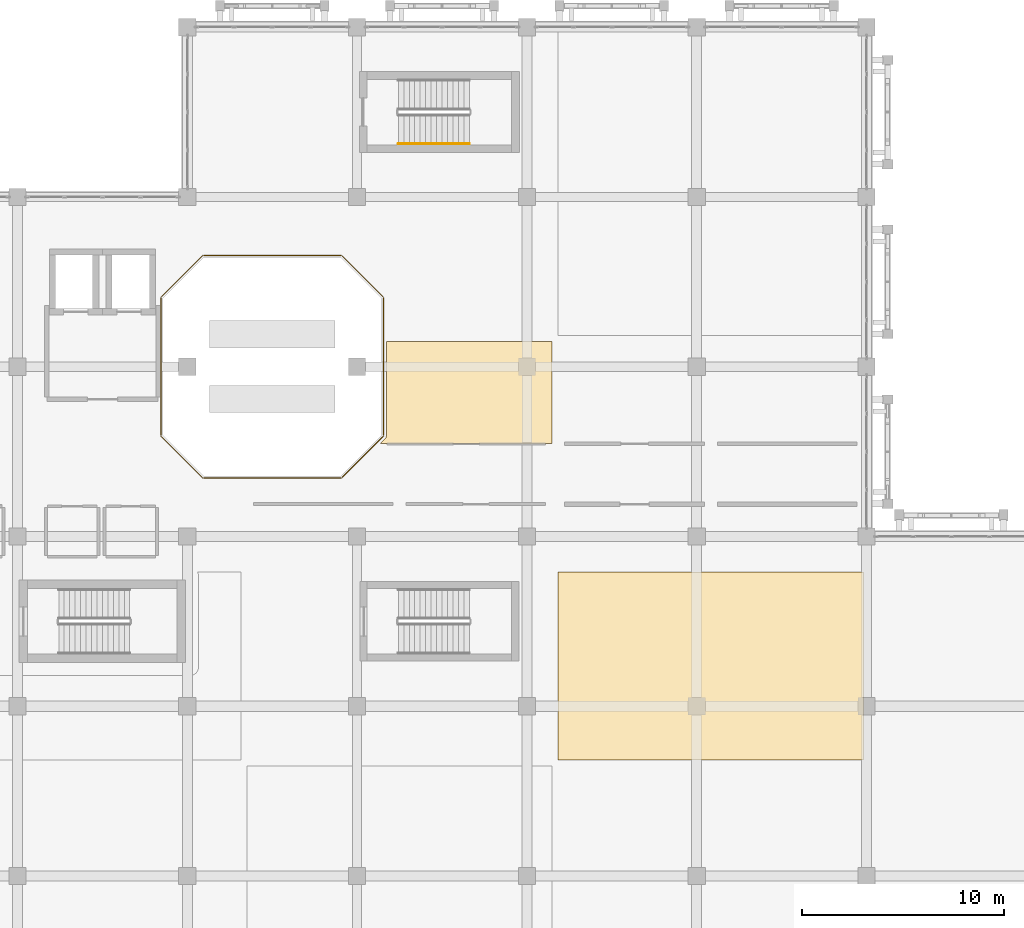
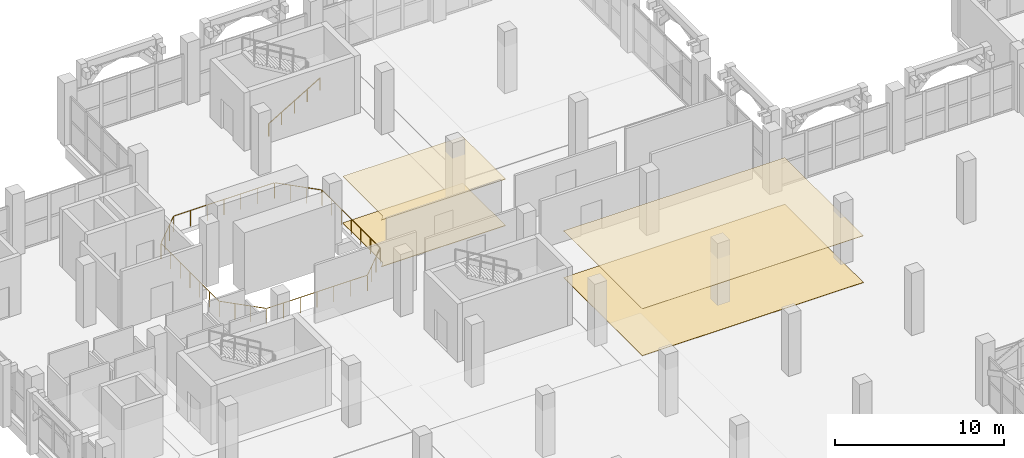
# One storey, part 130 of 137: 4 coverings, 2 railings.
"""IFC4 building model written with IfcOpenShell, lengths in metres."""

from ifc_helpers import new_model, si_unit, direction, frame, origin, origin_2d, place, context, subcontext, project, spatial, polyline, circle, outline, extrude, material, layer, layer_set, type_object, element, save


model = new_model("IFC4")

# Units and contexts
model_context = context("Model", 3, precision=1e-05, world=origin(), true_north=direction((0.0, 1.0)))
body_context = subcontext(model_context, "Body", "Model", "MODEL_VIEW")
ifc_project = project(units=[si_unit("LENGTHUNIT", "METRE"), si_unit("AREAUNIT", "SQUARE_METRE"), si_unit("VOLUMEUNIT", "CUBIC_METRE"), si_unit("PLANEANGLEUNIT", "RADIAN"), si_unit("MASSUNIT", "GRAM", prefix="KILO")], contexts=[model_context])

# Site, building, storey
site_placement = place(None, origin())
site = spatial("IfcSite", under=ifc_project, at=site_placement, CompositionType="ELEMENT")
building_placement = place(site_placement, origin())
building = spatial("IfcBuilding", under=site, at=building_placement, Name="Xazarin Passage Department Store", CompositionType="ELEMENT")
storey_placement = place(building_placement, frame((0.0, 0.0, 5.39990234375)))
storey = spatial("IfcBuildingStorey", under=building, at=storey_placement, Name="L01", CompositionType="ELEMENT", Elevation=5.39990234375)

# Coverings
ifc_material_1 = material(Name="Acoustic mineral ceiling")
ifc_layer_1 = layer(ifc_material_1, 0.030029296875)
ifc_layer_set_1 = layer_set([ifc_layer_1], Name="Acoustic mineral ceiling")
covering_type_1 = type_object("IfcCoveringType", Name="ARC-COV-CLG030", PredefinedType="CEILING", material=ifc_layer_set_1)
covering_1_placement = place(storey_placement, frame((0.0, 0.0, 3.3701171875)))
element("IfcCovering", 1, at=covering_1_placement, inside=storey, type_object=covering_type_1, Name="L01 Fashion Gallery Acoustic Ceiling", PredefinedType="CEILING", context=body_context, shape_type="SweptSolid", body=[
    extrude(outline(polyline([(35.14990234375, 73.75), (50.25, 73.75), (50.25, 83.050048828125), (35.14990234375, 83.050048828125), (35.14990234375, 73.75)])), origin(), (0.0, 0.0, 1.0), 0.030029296875),
])
ifc_layer_2 = layer(ifc_material_1, 0.0400390625)
ifc_layer_set_2 = layer_set([ifc_layer_2], Name="Acoustic mineral ceiling")
covering_type_2 = type_object("IfcCoveringType", Name="ARC-COV-CLG040", PredefinedType="CEILING", material=ifc_layer_set_2)
covering_2_placement = place(storey_placement, frame((0.0, 0.0, 3.360107421875)))
element("IfcCovering", 2, at=covering_2_placement, inside=storey, type_object=covering_type_2, Name="L01 Luxury Leather Showroom Acoustic Ceiling", PredefinedType="CEILING", context=body_context, shape_type="SweptSolid", body=[
    extrude(outline(polyline([(26.353515625, 89.39990234375), (34.85009765625, 89.39990234375), (34.85009765625, 94.449951171875), (26.64990234375, 94.449951171875), (26.64990234375, 89.800048828125), (26.648681640625, 89.775390625), (26.645263671875, 89.751220703125), (26.63916015625, 89.727294921875), (26.631103515625, 89.704345703125), (26.62060546875, 89.68212890625), (26.60791015625, 89.6611328125), (26.59326171875, 89.641357421875), (26.576904296875, 89.623291015625), (26.353515625, 89.39990234375)])), origin(), (0.0, 0.0, 1.0), 0.0400390625),
])
ifc_material_2 = material(Name="Terrazzo stone flooring", Category="masonry")
ifc_layer_3 = layer(ifc_material_2, 0.02490234375)
ifc_layer_set_3 = layer_set([ifc_layer_3], Name="Terrazzo stone flooring")
covering_type_3 = type_object("IfcCoveringType", Name="ARC-COV-FLR025", PredefinedType="FLOORING", material=ifc_layer_set_3)
covering_3_placement = place(storey_placement, origin())
element("IfcCovering", 3, at=covering_3_placement, inside=storey, type_object=covering_type_3, Name="L01 Fashion Gallery Terrazzo Flooring", PredefinedType="FLOORING", context=body_context, shape_type="SweptSolid", body=[
    extrude(outline(polyline([(35.14990234375, 73.75), (50.25, 73.75), (50.25, 83.050048828125), (35.14990234375, 83.050048828125), (35.14990234375, 73.75)])), origin(), (0.0, 0.0, 1.0), 0.025146484375),
])
ifc_layer_4 = layer(ifc_material_2, 0.034912109375)
ifc_layer_set_4 = layer_set([ifc_layer_4], Name="Terrazzo stone flooring")
covering_type_4 = type_object("IfcCoveringType", Name="ARC-COV-FLR035", PredefinedType="FLOORING", material=ifc_layer_set_4)
covering_4_placement = place(storey_placement, origin())
element("IfcCovering", 4, at=covering_4_placement, inside=storey, type_object=covering_type_4, Name="L01 Luxury Leather Showroom Terrazzo Flooring", PredefinedType="FLOORING", context=body_context, shape_type="SweptSolid", body=[
    extrude(outline(polyline([(26.353515625, 89.39990234375), (34.85009765625, 89.39990234375), (34.85009765625, 94.449951171875), (26.64990234375, 94.449951171875), (26.64990234375, 89.800048828125), (26.648681640625, 89.775390625), (26.645263671875, 89.751220703125), (26.63916015625, 89.727294921875), (26.631103515625, 89.704345703125), (26.62060546875, 89.68212890625), (26.60791015625, 89.6611328125), (26.59326171875, 89.641357421875), (26.576904296875, 89.623291015625), (26.353515625, 89.39990234375)])), origin(), (0.0, 0.0, 1.0), 0.03515625),
])

# Railings
ifc_material_3 = material(Name="Low-E laminated safety glass", Category="glass")
railing_type_1 = type_object("IfcRailingType", Name="ARC-RL-BAL115", PredefinedType="BALUSTRADE", material=ifc_material_3)
railing_1_placement = place(storey_placement, frame((15.5, 96.641357421875, 0.0)))
element("IfcRailing", 5, at=railing_1_placement, inside=storey, type_object=railing_type_1, Name="L01 Void Edge Balustrade 0001", PredefinedType="BALUSTRADE", context=body_context, shape_type="SweptSolid", body=[
    extrude(circle(Radius=0.02392578125, at=origin_2d()), frame((0.0, -0.03125, 1.1259765625), z_axis=(0.0, -1.0, 0.0), x_axis=(1.0, 0.0, 0.0)), (0.0, 0.0, 1.0), 6.8203125),
    extrude(circle(Radius=0.02392578125, at=origin_2d()), frame((0.022216796875, -6.905029296875, 1.1259765625), z_axis=(0.707106781187, -0.707106781187, 0.0), x_axis=(0.707106781187, 0.707106781187, 0.0)), (0.0, 0.0, 1.0), 2.848876953125),
    extrude(circle(Radius=0.02392578125, at=origin_2d()), frame((2.08984375, -8.94140625, 1.1259765625), z_axis=(1.0, 0.0, 0.0), x_axis=(0.0, 1.0, 0.0)), (0.0, 0.0, 1.0), 6.8203125),
    extrude(circle(Radius=0.02392578125, at=origin_2d()), frame((8.963623046875, -8.919189453125, 1.1259765625), z_axis=(0.707106781187, 0.707106781187, 0.0), x_axis=(-0.707106781187, 0.707106781187, 0.0)), (0.0, 0.0, 1.0), 2.848876953125),
    extrude(circle(Radius=0.02392578125, at=origin_2d()), frame((11.0, -6.8515625, 1.1259765625), z_axis=(0.0, 1.0, 0.0), x_axis=(-1.0, 0.0, 0.0)), (0.0, 0.0, 1.0), 6.8203125),
    extrude(circle(Radius=0.02392578125, at=origin_2d()), frame((10.977783203125, 0.022216796875, 1.1259765625), z_axis=(-0.707106781187, 0.707106781187, 0.0), x_axis=(-0.707106781187, -0.707106781187, 0.0)), (0.0, 0.0, 1.0), 2.848876953125),
    extrude(circle(Radius=0.02392578125, at=origin_2d()), frame((8.91015625, 2.05859375, 1.1259765625), z_axis=(-1.0, 0.0, 0.0), x_axis=(0.0, -1.0, 0.0)), (0.0, 0.0, 1.0), 6.8203125),
    extrude(circle(Radius=0.02392578125, at=origin_2d()), frame((2.036376953125, 2.036376953125, 1.1259765625), z_axis=(-0.707106781187, -0.707106781187, 0.0), x_axis=(0.707106781187, -0.707106781187, 0.0)), (0.0, 0.0, 1.0), 2.848876953125),
    extrude(circle(Radius=0.02099609375, at=origin_2d()), origin(), (0.0, 0.0, 1.0), 1.1015625),
    extrude(circle(Radius=0.02099609375, at=origin_2d()), frame((0.0, -1.147216796875, 0.0)), (0.0, 0.0, 1.0), 1.1015625),
    extrude(circle(Radius=0.02099609375, at=origin_2d()), frame((0.0, -2.294189453125, 0.0)), (0.0, 0.0, 1.0), 1.1015625),
    extrude(circle(Radius=0.02099609375, at=origin_2d()), frame((0.0, -3.44140625, 0.0)), (0.0, 0.0, 1.0), 1.1015625),
    extrude(circle(Radius=0.02099609375, at=origin_2d()), frame((0.0, -4.588623046875, 0.0)), (0.0, 0.0, 1.0), 1.1015625),
    extrude(circle(Radius=0.02099609375, at=origin_2d()), frame((0.0, -5.735595703125, 0.0)), (0.0, 0.0, 1.0), 1.1015625),
    extrude(circle(Radius=0.02099609375, at=origin_2d()), frame((0.0, -6.8828125, 0.0)), (0.0, 0.0, 1.0), 1.1015625),
    extrude(circle(Radius=0.02099609375, at=origin_2d()), frame((0.686279296875, -7.569091796875, 0.0)), (0.0, 0.0, 1.0), 1.1015625),
    extrude(circle(Radius=0.02099609375, at=origin_2d()), frame((1.372314453125, -8.255126953125, 0.0)), (0.0, 0.0, 1.0), 1.1015625),
    extrude(circle(Radius=0.02099609375, at=origin_2d()), frame((2.05859375, -8.94140625, 0.0)), (0.0, 0.0, 1.0), 1.1015625),
    extrude(circle(Radius=0.02099609375, at=origin_2d()), frame((3.205810546875, -8.94140625, 0.0)), (0.0, 0.0, 1.0), 1.1015625),
    extrude(circle(Radius=0.02099609375, at=origin_2d()), frame((4.352783203125, -8.94140625, 0.0)), (0.0, 0.0, 1.0), 1.1015625),
    extrude(circle(Radius=0.02099609375, at=origin_2d()), frame((5.5, -8.94140625, 0.0)), (0.0, 0.0, 1.0), 1.1015625),
    extrude(circle(Radius=0.02099609375, at=origin_2d()), frame((6.647216796875, -8.94140625, 0.0)), (0.0, 0.0, 1.0), 1.1015625),
    extrude(circle(Radius=0.02099609375, at=origin_2d()), frame((7.794189453125, -8.94140625, 0.0)), (0.0, 0.0, 1.0), 1.1015625),
    extrude(circle(Radius=0.02099609375, at=origin_2d()), frame((8.94140625, -8.94140625, 0.0)), (0.0, 0.0, 1.0), 1.1015625),
    extrude(circle(Radius=0.02099609375, at=origin_2d()), frame((9.627685546875, -8.255126953125, 0.0)), (0.0, 0.0, 1.0), 1.1015625),
    extrude(circle(Radius=0.02099609375, at=origin_2d()), frame((10.313720703125, -7.569091796875, 0.0)), (0.0, 0.0, 1.0), 1.1015625),
    extrude(circle(Radius=0.02099609375, at=origin_2d()), frame((11.0, -6.8828125, 0.0)), (0.0, 0.0, 1.0), 1.1015625),
    extrude(circle(Radius=0.02099609375, at=origin_2d()), frame((11.0, -5.735595703125, 0.0)), (0.0, 0.0, 1.0), 1.1015625),
    extrude(circle(Radius=0.02099609375, at=origin_2d()), frame((11.0, -4.588623046875, 0.0)), (0.0, 0.0, 1.0), 1.1015625),
    extrude(circle(Radius=0.02099609375, at=origin_2d()), frame((11.0, -3.44140625, 0.0)), (0.0, 0.0, 1.0), 1.1015625),
    extrude(circle(Radius=0.02099609375, at=origin_2d()), frame((11.0, -2.294189453125, 0.0)), (0.0, 0.0, 1.0), 1.1015625),
    extrude(circle(Radius=0.02099609375, at=origin_2d()), frame((11.0, -1.147216796875, 0.0)), (0.0, 0.0, 1.0), 1.1015625),
    extrude(circle(Radius=0.02099609375, at=origin_2d()), frame((11.0, 0.0, 0.0)), (0.0, 0.0, 1.0), 1.1015625),
    extrude(circle(Radius=0.02099609375, at=origin_2d()), frame((10.313720703125, 0.686279296875, 0.0)), (0.0, 0.0, 1.0), 1.1015625),
    extrude(circle(Radius=0.02099609375, at=origin_2d()), frame((9.627685546875, 1.372314453125, 0.0)), (0.0, 0.0, 1.0), 1.1015625),
    extrude(circle(Radius=0.02099609375, at=origin_2d()), frame((8.94140625, 2.05859375, 0.0)), (0.0, 0.0, 1.0), 1.1015625),
    extrude(circle(Radius=0.02099609375, at=origin_2d()), frame((7.794189453125, 2.05859375, 0.0)), (0.0, 0.0, 1.0), 1.1015625),
    extrude(circle(Radius=0.02099609375, at=origin_2d()), frame((6.647216796875, 2.05859375, 0.0)), (0.0, 0.0, 1.0), 1.1015625),
    extrude(circle(Radius=0.02099609375, at=origin_2d()), frame((5.5, 2.05859375, 0.0)), (0.0, 0.0, 1.0), 1.1015625),
    extrude(circle(Radius=0.02099609375, at=origin_2d()), frame((4.352783203125, 2.05859375, 0.0)), (0.0, 0.0, 1.0), 1.1015625),
    extrude(circle(Radius=0.02099609375, at=origin_2d()), frame((3.205810546875, 2.05859375, 0.0)), (0.0, 0.0, 1.0), 1.1015625),
    extrude(circle(Radius=0.02099609375, at=origin_2d()), frame((2.05859375, 2.05859375, 0.0)), (0.0, 0.0, 1.0), 1.1015625),
    extrude(circle(Radius=0.02099609375, at=origin_2d()), frame((1.372314453125, 1.372314453125, 0.0)), (0.0, 0.0, 1.0), 1.1015625),
    extrude(circle(Radius=0.02099609375, at=origin_2d()), frame((0.686279296875, 0.686279296875, 0.0)), (0.0, 0.0, 1.0), 1.1015625),
])
ifc_material_4 = material(Name="Steel S355", Category="steel")
railing_type_2 = type_object("IfcRailingType", Name="ARC-RL-HND090", PredefinedType="HANDRAIL", material=ifc_material_4)
railing_2_placement = place(storey_placement, frame((27.239990234375, 104.22998046875, 0.160888671875)))
element("IfcRailing", 6, at=railing_2_placement, inside=storey, type_object=railing_type_2, Name="L01 ST2 stair handrail 1", PredefinedType="HANDRAIL", context=body_context, shape_type="SweptSolid", body=[
    extrude(circle(Radius=0.02392578125, at=origin_2d()), frame((0.0, 0.0, 0.8759765625), z_axis=(0.859312273368, 0.0, 0.511451284914), x_axis=(0.0, 1.0, 0.0)), (0.0, 0.0, 1.0), 4.084716796875),
    extrude(circle(Radius=0.02099609375, at=origin_2d()), origin(), (0.0, 0.0, 1.0), 0.8515625),
    extrude(circle(Radius=0.02099609375, at=origin_2d()), frame((0.87744140625, 0.0, 0.522216796875)), (0.0, 0.0, 1.0), 0.8515625),
    extrude(circle(Radius=0.02099609375, at=origin_2d()), frame((1.7548828125, 0.0, 1.04443359375)), (0.0, 0.0, 1.0), 0.8515625),
    extrude(circle(Radius=0.02099609375, at=origin_2d()), frame((2.632568359375, 0.0, 1.56689453125)), (0.0, 0.0, 1.0), 0.8515625),
    extrude(circle(Radius=0.02099609375, at=origin_2d()), frame((3.510009765625, 0.0, 2.089111328125)), (0.0, 0.0, 1.0), 0.8515625),
])

save(model, "model.ifc")
